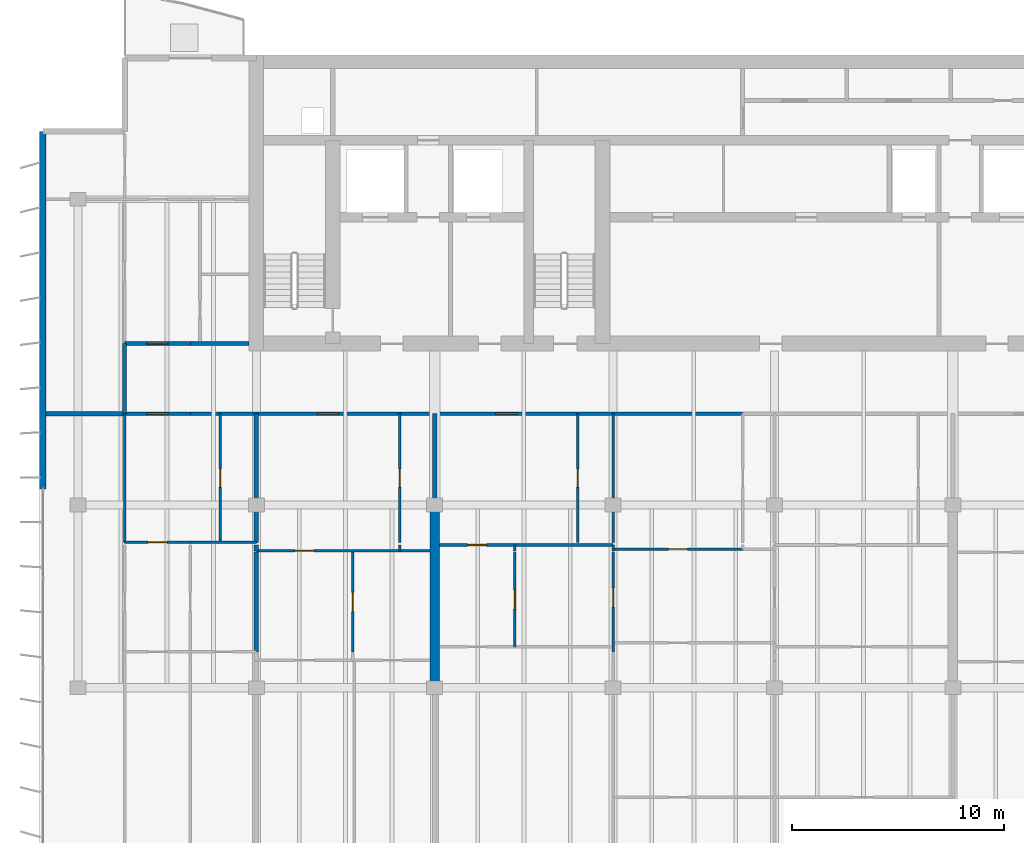
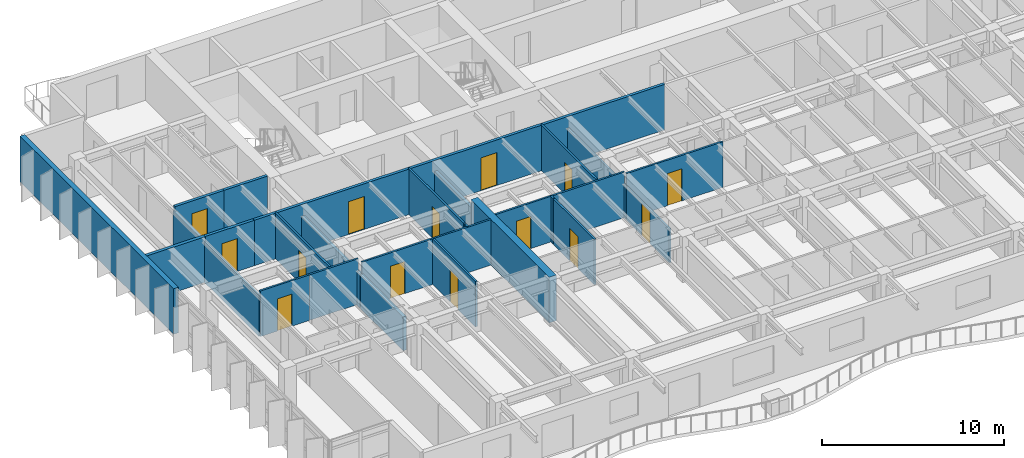
# One storey, part 7 of 17: 28 walls, 14 doors, 14 openings.
"""IFC4 building model written with IfcOpenShell, lengths in metres."""

from ifc_helpers import new_model, si_unit, direction, frame, frame_2d, origin, place, context, subcontext, project, spatial, rectangle, extrude, material, layer, layer_set, type_object, element, fill, save


model = new_model("IFC4")

# Units and contexts
model_context = context("Model", 3, precision=1e-05, world=origin(), true_north=direction((0.0, 1.0)))
body_context = subcontext(model_context, "Body", "Model", "MODEL_VIEW")
ifc_project = project(units=[si_unit("LENGTHUNIT", "METRE"), si_unit("AREAUNIT", "SQUARE_METRE"), si_unit("VOLUMEUNIT", "CUBIC_METRE"), si_unit("PLANEANGLEUNIT", "RADIAN"), si_unit("MASSUNIT", "GRAM", prefix="KILO")], contexts=[model_context])

# Site, building, storey
site_placement = place(None, origin())
site = spatial("IfcSite", under=ifc_project, at=site_placement, CompositionType="ELEMENT")
building_placement = place(site_placement, origin())
building = spatial("IfcBuilding", under=site, at=building_placement, Name="Caelmar Bay Residences", CompositionType="ELEMENT")
storey_placement = place(building_placement, frame((0.0, 0.0, 246.300048828125)))
storey = spatial("IfcBuildingStorey", under=building, at=storey_placement, Name="L69", CompositionType="ELEMENT", Elevation=246.300048828125)

# Walls
ifc_material_1 = material(Name="Concrete f'c 55 MPa (8,000 psi)", Category="concrete")
ifc_layer_1 = layer(ifc_material_1, 0.449951171875)
ifc_layer_set_1 = layer_set([ifc_layer_1], Name="Concrete f'c 55 MPa (8,000 psi)")
wall_type_1 = type_object("IfcWallType", Name="SW-XSLB-450", PredefinedType="SHEAR", material=ifc_layer_set_1)
wall_1_placement = place(storey_placement, frame((26.699951171875, 20.800048828125, 0.0), z_axis=(0.0, 0.0, 1.0), x_axis=(0.0, 1.0, 0.0)))
element("IfcWall", 1, at=wall_1_placement, inside=storey, type_object=wall_type_1, Name="L69 Transverse Cross-Slab Shear Wall W5", PredefinedType="SHEAR", context=body_context, shape_type="SweptSolid", body=[
    extrude(rectangle(XDim=8.599853515625, YDim=0.449951171875, at=frame_2d((4.2998046875, 0.0))), origin(), (0.0, 0.0, 1.0), 3.050048828125),
])
ifc_material_2 = material(Name="Double-stud acoustic fire-rated gypsum partition 180 mm")
ifc_layer_2 = layer(ifc_material_2, 0.179931640625)
ifc_layer_set_2 = layer_set([ifc_layer_2], Name="Double-stud acoustic fire-rated gypsum partition 180 mm")
wall_type_2 = type_object("IfcWallType", Name="W-COR-200", PredefinedType="PARTITIONING", material=ifc_layer_set_2)
wall_2_placement = place(storey_placement, frame((12.10009765625, 33.705078125, 0.0), z_axis=(0.0, 0.0, 1.0), x_axis=(0.0, 1.0, 0.0)))
element("IfcWall", 2, at=wall_2_placement, inside=storey, type_object=wall_type_2, Name="L69 Partition Wall V006", PredefinedType="PARTITIONING", context=body_context, shape_type="SweptSolid", body=[
    extrude(rectangle(XDim=3.294921875, YDim=0.179931640625, at=frame_2d((1.6474609375, 0.0))), origin(), (0.0, 0.0, 1.0), 2.724853515625),
])

# Wall, opening, door
wall_3_placement = place(storey_placement, frame((12.10498046875, 33.699951171875, 0.0), z_axis=(0.0, 0.0, 1.0), x_axis=(1.0, 0.0, 0.0)))
wall_3 = element("IfcWall", 3, at=wall_3_placement, inside=storey, type_object=wall_type_2, Name="L69 Partition Wall H110", PredefinedType="PARTITIONING", context=body_context, shape_type="SweptSolid", body=[
    extrude(rectangle(XDim=3.093017578125, YDim=0.179931640625, at=frame_2d((1.54638671875, 0.0))), origin(), (0.0, 0.0, 1.0), 3.050048828125),
])
opening_1_placement = place(wall_3_placement, frame((1.04638671875, 0.0, 0.0)))
opening_1 = element("IfcOpeningElement", 4, at=opening_1_placement, cuts=wall_3, Name="Opening D-L69-122", PredefinedType="OPENING", context=body_context, shape_type="SweptSolid", body=[
    extrude(rectangle(XDim=1.0, YDim=2.199951171875, at=frame_2d((0.5, 1.10009765625))), frame((0.0, 0.099853515625, 0.0), z_axis=(0.0, -1.0, 0.0), x_axis=(1.0, 0.0, 0.0)), (0.0, 0.0, 1.0), 0.199951171875),
])
ifc_material_3 = material(Name="Fire-rated steel and walnut architectural door assembly", Category="steel")
ifc_layer_3 = layer(ifc_material_3, 0.050048828125)
ifc_layer_set_3 = layer_set([ifc_layer_3], Name="Fire-rated steel and walnut architectural door assembly")
door_type_1 = type_object("IfcDoorType", Name="D-UNIT-1000", OperationType="NOTDEFINED", PredefinedType="DOOR", material=ifc_layer_set_3)
door_1_placement = place(opening_1_placement, origin())
door_1 = element("IfcDoor", 5, at=door_1_placement, inside=storey, type_object=door_type_1, Name="L69 Residence 01 Apartment Hall Door", OperationType="SINGLE_SWING_LEFT", OverallHeight=2.199951171875, OverallWidth=1.0, PredefinedType="DOOR", context=body_context, shape_type="SweptSolid", body=[
    extrude(rectangle(XDim=1.0, YDim=2.199951171875, at=frame_2d((0.5, 1.10009765625))), frame((0.0, 0.02490234375, 0.0), z_axis=(0.0, -1.0, 0.0), x_axis=(1.0, 0.0, 0.0)), (0.0, 0.0, 1.0), 0.050048828125),
])
fill(opening_1, door_1)

# Wall, openings, doors
wall_4_placement = place(storey_placement, frame((15.202880859375, 33.699951171875, 0.0), z_axis=(0.0, 0.0, 1.0), x_axis=(1.0, 0.0, 0.0)))
wall_4 = element("IfcWall", 6, at=wall_4_placement, inside=storey, type_object=wall_type_2, Name="L69 Partition Wall H111", PredefinedType="PARTITIONING", context=body_context, shape_type="SweptSolid", body=[
    extrude(rectangle(XDim=25.9921875, YDim=0.179931640625, at=frame_2d((12.99609375, 0.0))), origin(), (0.0, 0.0, 1.0), 3.050048828125),
])
opening_2_placement = place(wall_4_placement, frame((5.971923828125, 0.0, 0.0)))
opening_2 = element("IfcOpeningElement", 7, at=opening_2_placement, cuts=wall_4, Name="Opening D-L69-128", PredefinedType="OPENING", context=body_context, shape_type="SweptSolid", body=[
    extrude(rectangle(XDim=1.0, YDim=2.199951171875, at=frame_2d((0.5, 1.10009765625))), frame((0.0, 0.099853515625, 0.0), z_axis=(0.0, -1.0, 0.0), x_axis=(1.0, 0.0, 0.0)), (0.0, 0.0, 1.0), 0.199951171875),
])
opening_3_placement = place(wall_4_placement, frame((14.363525390625, 0.0, 0.0)))
opening_3 = element("IfcOpeningElement", 8, at=opening_3_placement, cuts=wall_4, Name="Opening D-L69-134", PredefinedType="OPENING", context=body_context, shape_type="SweptSolid", body=[
    extrude(rectangle(XDim=1.0, YDim=2.199951171875, at=frame_2d((0.5, 1.10009765625))), frame((0.0, 0.099853515625, 0.0), z_axis=(0.0, -1.0, 0.0), x_axis=(1.0, 0.0, 0.0)), (0.0, 0.0, 1.0), 0.199951171875),
])
door_2_placement = place(opening_2_placement, origin())
door_2 = element("IfcDoor", 9, at=door_2_placement, inside=storey, type_object=door_type_1, Name="L69 Residence 02 Apartment Hall Door", OperationType="SINGLE_SWING_LEFT", OverallHeight=2.199951171875, OverallWidth=1.0, PredefinedType="DOOR", context=body_context, shape_type="SweptSolid", body=[
    extrude(rectangle(XDim=1.0, YDim=2.199951171875, at=frame_2d((0.5, 1.10009765625))), frame((0.0, 0.02490234375, 0.0), z_axis=(0.0, -1.0, 0.0), x_axis=(1.0, 0.0, 0.0)), (0.0, 0.0, 1.0), 0.050048828125),
])
fill(opening_2, door_2)
door_3_placement = place(opening_3_placement, origin())
door_3 = element("IfcDoor", 10, at=door_3_placement, inside=storey, type_object=door_type_1, Name="L69 Residence 03 Apartment Hall Door", OperationType="SINGLE_SWING_LEFT", OverallHeight=2.199951171875, OverallWidth=1.0, PredefinedType="DOOR", context=body_context, shape_type="SweptSolid", body=[
    extrude(rectangle(XDim=1.0, YDim=2.199951171875, at=frame_2d((0.5, 1.10009765625))), frame((0.0, 0.02490234375, 0.0), z_axis=(0.0, -1.0, 0.0), x_axis=(1.0, 0.0, 0.0)), (0.0, 0.0, 1.0), 0.050048828125),
])
fill(opening_3, door_3)

# Wall, opening, door
wall_5_placement = place(storey_placement, frame((12.10009765625, 37.0, 0.0), z_axis=(0.0, 0.0, 1.0), x_axis=(1.0, 0.0, 0.0)))
wall_5 = element("IfcWall", 11, at=wall_5_placement, inside=storey, type_object=wall_type_2, Name="L69 Partition Wall H114", PredefinedType="PARTITIONING", context=body_context, shape_type="SweptSolid", body=[
    extrude(rectangle(XDim=3.097900390625, YDim=0.179931640625, at=frame_2d((1.548828125, 0.0))), origin(), (0.0, 0.0, 1.0), 3.050048828125),
])
opening_4_placement = place(wall_5_placement, frame((1.049072265625, 0.0, 0.0)))
opening_4 = element("IfcOpeningElement", 12, at=opening_4_placement, cuts=wall_5, Name="Opening D-L69-162", PredefinedType="OPENING", context=body_context, shape_type="SweptSolid", body=[
    extrude(rectangle(XDim=1.0, YDim=2.199951171875, at=frame_2d((0.5, 1.10009765625))), frame((0.0, 0.099853515625, 0.0), z_axis=(0.0, -1.0, 0.0), x_axis=(1.0, 0.0, 0.0)), (0.0, 0.0, 1.0), 0.199951171875),
])
door_4_placement = place(opening_4_placement, origin())
door_4 = element("IfcDoor", 13, at=door_4_placement, inside=storey, type_object=door_type_1, Name="L69 Residence WA Kitchen Door", OperationType="SINGLE_SWING_LEFT", OverallHeight=2.199951171875, OverallWidth=1.0, PredefinedType="DOOR", context=body_context, shape_type="SweptSolid", body=[
    extrude(rectangle(XDim=1.0, YDim=2.199951171875, at=frame_2d((0.5, 1.10009765625))), frame((0.0, 0.02490234375, 0.0), z_axis=(0.0, -1.0, 0.0), x_axis=(1.0, 0.0, 0.0)), (0.0, 0.0, 1.0), 0.050048828125),
])
fill(opening_4, door_4)

# Walls
wall_6_placement = place(storey_placement, frame((15.202880859375, 37.0, 0.0), z_axis=(0.0, 0.0, 1.0), x_axis=(1.0, 0.0, 0.0)))
element("IfcWall", 14, at=wall_6_placement, inside=storey, type_object=wall_type_2, Name="L69 Partition Wall H115", PredefinedType="PARTITIONING", context=body_context, shape_type="SweptSolid", body=[
    extrude(rectangle(XDim=2.7421875, YDim=0.179931640625, at=frame_2d((1.37109375, 0.0))), origin(), (0.0, 0.0, 1.0), 3.050048828125),
])
ifc_material_4 = material(Name="Precast concrete f'c 40 MPa (6,000 psi)", Category="concrete")
ifc_layer_4 = layer(ifc_material_4, 0.300048828125)
ifc_layer_set_4 = layer_set([ifc_layer_4], Name="Precast concrete f'c 40 MPa (6,000 psi)")
wall_type_3 = type_object("IfcWallType", Name="W-EXT-300", PredefinedType="STANDARD", material=ifc_layer_set_4)
wall_7_placement = place(storey_placement, frame((8.25, 30.14990234375, 0.0), z_axis=(0.0, 0.0, 1.0), x_axis=(0.0, 1.0, 0.0)))
element("IfcWall", 15, at=wall_7_placement, inside=storey, type_object=wall_type_3, Name="L69 West Rear Exterior Wall", PredefinedType="STANDARD", context=body_context, shape_type="SweptSolid", body=[
    extrude(rectangle(XDim=16.85009765625, YDim=0.300048828125, at=frame_2d((8.425048828125, 0.0))), origin(), (0.0, 0.0, 1.0), 3.050048828125),
])
ifc_material_5 = material(Name="Acoustic metal-stud gypsum partition 120 mm")
ifc_layer_5 = layer(ifc_material_5, 0.1201171875)
ifc_layer_set_5 = layer_set([ifc_layer_5], Name="Acoustic metal-stud gypsum partition 120 mm")
wall_type_4 = type_object("IfcWallType", Name="W-PRT-120", PredefinedType="PARTITIONING", material=ifc_layer_set_5)
wall_8_placement = place(storey_placement, frame((12.10009765625, 27.639892578125, 0.0), z_axis=(0.0, 0.0, 1.0), x_axis=(0.0, 1.0, 0.0)))
element("IfcWall", 16, at=wall_8_placement, inside=storey, type_object=wall_type_4, Name="L69 Partition Wall V005", PredefinedType="PARTITIONING", context=body_context, shape_type="SweptSolid", body=[
    extrude(rectangle(XDim=6.06005859375, YDim=0.1201171875, at=frame_2d((3.030029296875, 0.0))), origin(), (0.0, 0.0, 1.0), 2.724853515625),
])

# Wall, opening, door
wall_9_placement = place(storey_placement, frame((16.60009765625, 27.639892578125, 0.0), z_axis=(0.0, 0.0, 1.0), x_axis=(0.0, 1.0, 0.0)))
wall_9 = element("IfcWall", 17, at=wall_9_placement, inside=storey, type_object=wall_type_4, Name="L69 Partition Wall V014", PredefinedType="PARTITIONING", context=body_context, shape_type="SweptSolid", body=[
    extrude(rectangle(XDim=6.06005859375, YDim=0.1201171875, at=frame_2d((3.030029296875, 0.0))), origin(), (0.0, 0.0, 1.0), 3.050048828125),
])
opening_5_placement = place(wall_9_placement, frame((2.60498046875, 0.0, 0.0)))
opening_5 = element("IfcOpeningElement", 18, at=opening_5_placement, cuts=wall_9, Name="Opening D-L69-123", PredefinedType="OPENING", context=body_context, shape_type="SweptSolid", body=[
    extrude(rectangle(XDim=0.85009765625, YDim=2.10009765625, at=frame_2d((0.425048828125, 1.050048828125))), frame((0.0, 0.070068359375, 0.0), z_axis=(0.0, -1.0, 0.0), x_axis=(1.0, 0.0, 0.0)), (0.0, 0.0, 1.0), 0.14013671875),
])
ifc_material_6 = material(Name="Solid walnut timber interior door leaf and frame", Category="wood")
ifc_layer_6 = layer(ifc_material_6, 0.050048828125)
ifc_layer_set_6 = layer_set([ifc_layer_6], Name="Solid walnut timber interior door leaf and frame")
door_type_2 = type_object("IfcDoorType", Name="D-BATH-850", OperationType="NOTDEFINED", PredefinedType="DOOR", material=ifc_layer_set_6)
door_5_placement = place(opening_5_placement, origin())
door_5 = element("IfcDoor", 19, at=door_5_placement, inside=storey, type_object=door_type_2, Name="L69 Residence 01 Bathroom Door", OperationType="SINGLE_SWING_RIGHT", OverallHeight=2.10009765625, OverallWidth=0.85009765625, PredefinedType="DOOR", context=body_context, shape_type="SweptSolid", body=[
    extrude(rectangle(XDim=0.85009765625, YDim=2.10009765625, at=frame_2d((0.425048828125, 1.050048828125))), frame((0.0, 0.02490234375, 0.0), z_axis=(0.0, -1.0, 0.0), x_axis=(1.0, 0.0, 0.0)), (0.0, 0.0, 1.0), 0.050048828125),
])
fill(opening_5, door_5)

wall_10_placement = place(storey_placement, frame((22.8359375, 22.489990234375, 0.0), z_axis=(0.0, 0.0, 1.0), x_axis=(0.0, 1.0, 0.0)))
wall_10 = element("IfcWall", 20, at=wall_10_placement, inside=storey, type_object=wall_type_4, Name="L69 Partition Wall V023", PredefinedType="PARTITIONING", context=body_context, shape_type="SweptSolid", body=[
    extrude(rectangle(XDim=4.68994140625, YDim=0.1201171875, at=frame_2d((2.344970703125, 0.0))), origin(), (0.0, 0.0, 1.0), 3.050048828125),
])
opening_6_placement = place(wall_10_placement, frame((1.89501953125, 0.0, 0.0)))
opening_6 = element("IfcOpeningElement", 21, at=opening_6_placement, cuts=wall_10, Name="Opening D-L69-131", PredefinedType="OPENING", context=body_context, shape_type="SweptSolid", body=[
    extrude(rectangle(XDim=0.89990234375, YDim=2.14990234375, at=frame_2d((0.449951171875, 1.074951171875))), frame((0.0, 0.070068359375, 0.0), z_axis=(0.0, -1.0, 0.0), x_axis=(1.0, 0.0, 0.0)), (0.0, 0.0, 1.0), 0.14013671875),
])
ifc_layer_7 = layer(ifc_material_6, 0.050048828125)
ifc_layer_set_7 = layer_set([ifc_layer_7], Name="Solid walnut timber interior door leaf and frame")
door_type_3 = type_object("IfcDoorType", Name="D-ROOM-900", OperationType="NOTDEFINED", PredefinedType="DOOR", material=ifc_layer_set_7)
door_6_placement = place(opening_6_placement, origin())
door_6 = element("IfcDoor", 22, at=door_6_placement, inside=storey, type_object=door_type_3, Name="L69 Residence 02 Formal Dining Room Door", OperationType="SINGLE_SWING_RIGHT", OverallHeight=2.14990234375, OverallWidth=0.89990234375, PredefinedType="DOOR", context=body_context, shape_type="SweptSolid", body=[
    extrude(rectangle(XDim=0.89990234375, YDim=2.14990234375, at=frame_2d((0.449951171875, 1.074951171875))), frame((0.0, 0.02490234375, 0.0), z_axis=(0.0, -1.0, 0.0), x_axis=(1.0, 0.0, 0.0)), (0.0, 0.0, 1.0), 0.050048828125),
])
fill(opening_6, door_6)

# Wall
wall_11_placement = place(storey_placement, frame((25.050048828125, 27.239990234375, 0.0), z_axis=(0.0, 0.0, 1.0), x_axis=(0.0, 1.0, 0.0)))
element("IfcWall", 23, at=wall_11_placement, inside=storey, type_object=wall_type_4, Name="L69 Partition Wall V026", PredefinedType="PARTITIONING", context=body_context, shape_type="SweptSolid", body=[
    extrude(rectangle(XDim=0.280029296875, YDim=0.1201171875, at=frame_2d((0.14013671875, 0.0))), origin(), (0.0, 0.0, 1.0), 3.050048828125),
])

# Wall, opening, door
wall_12_placement = place(storey_placement, frame((25.050048828125, 27.639892578125, 0.0), z_axis=(0.0, 0.0, 1.0), x_axis=(0.0, 1.0, 0.0)))
wall_12 = element("IfcWall", 24, at=wall_12_placement, inside=storey, type_object=wall_type_4, Name="L69 Partition Wall V027", PredefinedType="PARTITIONING", context=body_context, shape_type="SweptSolid", body=[
    extrude(rectangle(XDim=6.06005859375, YDim=0.1201171875, at=frame_2d((3.030029296875, 0.0))), origin(), (0.0, 0.0, 1.0), 3.050048828125),
])
opening_7_placement = place(wall_12_placement, frame((2.60498046875, 0.0, 0.0)))
opening_7 = element("IfcOpeningElement", 25, at=opening_7_placement, cuts=wall_12, Name="Opening D-L69-129", PredefinedType="OPENING", context=body_context, shape_type="SweptSolid", body=[
    extrude(rectangle(XDim=0.85009765625, YDim=2.10009765625, at=frame_2d((0.425048828125, 1.050048828125))), frame((0.0, 0.070068359375, 0.0), z_axis=(0.0, -1.0, 0.0), x_axis=(1.0, 0.0, 0.0)), (0.0, 0.0, 1.0), 0.14013671875),
])
door_7_placement = place(opening_7_placement, origin())
door_7 = element("IfcDoor", 26, at=door_7_placement, inside=storey, type_object=door_type_2, Name="L69 Residence 02 Bathroom Door", OperationType="SINGLE_SWING_RIGHT", OverallHeight=2.10009765625, OverallWidth=0.85009765625, PredefinedType="DOOR", context=body_context, shape_type="SweptSolid", body=[
    extrude(rectangle(XDim=0.85009765625, YDim=2.10009765625, at=frame_2d((0.425048828125, 1.050048828125))), frame((0.0, 0.02490234375, 0.0), z_axis=(0.0, -1.0, 0.0), x_axis=(1.0, 0.0, 0.0)), (0.0, 0.0, 1.0), 0.050048828125),
])
fill(opening_7, door_7)

wall_13_placement = place(storey_placement, frame((30.47998046875, 22.719970703125, 0.0), z_axis=(0.0, 0.0, 1.0), x_axis=(0.0, 1.0, 0.0)))
wall_13 = element("IfcWall", 27, at=wall_13_placement, inside=storey, type_object=wall_type_4, Name="L69 Partition Wall V034", PredefinedType="PARTITIONING", context=body_context, shape_type="SweptSolid", body=[
    extrude(rectangle(XDim=4.4599609375, YDim=0.1201171875, at=frame_2d((2.22998046875, 0.0))), origin(), (0.0, 0.0, 1.0), 3.050048828125),
])
opening_8_placement = place(wall_13_placement, frame((1.780029296875, 0.0, 0.0)))
opening_8 = element("IfcOpeningElement", 28, at=opening_8_placement, cuts=wall_13, Name="Opening D-L69-137", PredefinedType="OPENING", context=body_context, shape_type="SweptSolid", body=[
    extrude(rectangle(XDim=0.89990234375, YDim=2.14990234375, at=frame_2d((0.449951171875, 1.074951171875))), frame((0.0, 0.070068359375, 0.0), z_axis=(0.0, -1.0, 0.0), x_axis=(1.0, 0.0, 0.0)), (0.0, 0.0, 1.0), 0.14013671875),
])
door_8_placement = place(opening_8_placement, origin())
door_8 = element("IfcDoor", 29, at=door_8_placement, inside=storey, type_object=door_type_3, Name="L69 Residence 03 Kitchen Door", OperationType="SINGLE_SWING_RIGHT", OverallHeight=2.14990234375, OverallWidth=0.89990234375, PredefinedType="DOOR", context=body_context, shape_type="SweptSolid", body=[
    extrude(rectangle(XDim=0.89990234375, YDim=2.14990234375, at=frame_2d((0.449951171875, 1.074951171875))), frame((0.0, 0.02490234375, 0.0), z_axis=(0.0, -1.0, 0.0), x_axis=(1.0, 0.0, 0.0)), (0.0, 0.0, 1.0), 0.050048828125),
])
fill(opening_8, door_8)

# Wall
wall_14_placement = place(storey_placement, frame((30.47998046875, 27.239990234375, 0.0), z_axis=(0.0, 0.0, 1.0), x_axis=(0.0, 1.0, 0.0)))
element("IfcWall", 30, at=wall_14_placement, inside=storey, type_object=wall_type_4, Name="L69 Partition Wall V035", PredefinedType="PARTITIONING", context=body_context, shape_type="SweptSolid", body=[
    extrude(rectangle(XDim=0.280029296875, YDim=0.1201171875, at=frame_2d((0.14013671875, 0.0))), origin(), (0.0, 0.0, 1.0), 3.050048828125),
])

# Wall, opening, door
wall_15_placement = place(storey_placement, frame((33.43310546875, 27.639892578125, 0.0), z_axis=(0.0, 0.0, 1.0), x_axis=(0.0, 1.0, 0.0)))
wall_15 = element("IfcWall", 31, at=wall_15_placement, inside=storey, type_object=wall_type_4, Name="L69 Partition Wall V037", PredefinedType="PARTITIONING", context=body_context, shape_type="SweptSolid", body=[
    extrude(rectangle(XDim=6.06005859375, YDim=0.1201171875, at=frame_2d((3.030029296875, 0.0))), origin(), (0.0, 0.0, 1.0), 3.050048828125),
])
opening_9_placement = place(wall_15_placement, frame((2.60498046875, 0.0, 0.0)))
opening_9 = element("IfcOpeningElement", 32, at=opening_9_placement, cuts=wall_15, Name="Opening D-L69-135", PredefinedType="OPENING", context=body_context, shape_type="SweptSolid", body=[
    extrude(rectangle(XDim=0.85009765625, YDim=2.10009765625, at=frame_2d((0.425048828125, 1.050048828125))), frame((0.0, 0.070068359375, 0.0), z_axis=(0.0, -1.0, 0.0), x_axis=(1.0, 0.0, 0.0)), (0.0, 0.0, 1.0), 0.14013671875),
])
door_9_placement = place(opening_9_placement, origin())
door_9 = element("IfcDoor", 33, at=door_9_placement, inside=storey, type_object=door_type_2, Name="L69 Residence 03 Guest Bathroom Door", OperationType="SINGLE_SWING_RIGHT", OverallHeight=2.10009765625, OverallWidth=0.85009765625, PredefinedType="DOOR", context=body_context, shape_type="SweptSolid", body=[
    extrude(rectangle(XDim=0.85009765625, YDim=2.10009765625, at=frame_2d((0.425048828125, 1.050048828125))), frame((0.0, 0.02490234375, 0.0), z_axis=(0.0, -1.0, 0.0), x_axis=(1.0, 0.0, 0.0)), (0.0, 0.0, 1.0), 0.050048828125),
])
fill(opening_9, door_9)

wall_16_placement = place(storey_placement, frame((35.10009765625, 22.489990234375, 0.0), z_axis=(0.0, 0.0, 1.0), x_axis=(0.0, 1.0, 0.0)))
wall_16 = element("IfcWall", 34, at=wall_16_placement, inside=storey, type_object=wall_type_4, Name="L69 Partition Wall V041", PredefinedType="PARTITIONING", context=body_context, shape_type="SweptSolid", body=[
    extrude(rectangle(XDim=4.68994140625, YDim=0.1201171875, at=frame_2d((2.344970703125, 0.0))), origin(), (0.0, 0.0, 1.0), 2.262939453125),
])
opening_10_placement = place(wall_16_placement, frame((2.110107421875, 0.0, 0.0)))
opening_10 = element("IfcOpeningElement", 35, at=opening_10_placement, cuts=wall_16, Name="Opening D-L69-139", PredefinedType="OPENING", context=body_context, shape_type="SweptSolid", body=[
    extrude(rectangle(XDim=0.89990234375, YDim=2.14990234375, at=frame_2d((0.449951171875, 1.074951171875))), frame((0.0, 0.070068359375, 0.0), z_axis=(0.0, -1.0, 0.0), x_axis=(1.0, 0.0, 0.0)), (0.0, 0.0, 1.0), 0.14013671875),
])
door_10_placement = place(opening_10_placement, origin())
door_10 = element("IfcDoor", 36, at=door_10_placement, inside=storey, type_object=door_type_3, Name="L69 Residence 03 Formal Dining Room 1 Door", OperationType="SINGLE_SWING_RIGHT", OverallHeight=2.14990234375, OverallWidth=0.89990234375, PredefinedType="DOOR", context=body_context, shape_type="SweptSolid", body=[
    extrude(rectangle(XDim=0.89990234375, YDim=2.14990234375, at=frame_2d((0.449951171875, 1.074951171875))), frame((0.0, 0.02490234375, 0.0), z_axis=(0.0, -1.0, 0.0), x_axis=(1.0, 0.0, 0.0)), (0.0, 0.0, 1.0), 0.050048828125),
])
fill(opening_10, door_10)

# Walls
wall_17_placement = place(storey_placement, frame((35.10009765625, 27.239990234375, 0.0), z_axis=(0.0, 0.0, 1.0), x_axis=(0.0, 1.0, 0.0)))
element("IfcWall", 37, at=wall_17_placement, inside=storey, type_object=wall_type_4, Name="L69 Partition Wall V042", PredefinedType="PARTITIONING", context=body_context, shape_type="SweptSolid", body=[
    extrude(rectangle(XDim=0.280029296875, YDim=0.1201171875, at=frame_2d((0.14013671875, 0.0))), origin(), (0.0, 0.0, 1.0), 2.262939453125),
])
wall_18_placement = place(storey_placement, frame((35.10009765625, 27.639892578125, 0.0), z_axis=(0.0, 0.0, 1.0), x_axis=(0.0, 1.0, 0.0)))
element("IfcWall", 38, at=wall_18_placement, inside=storey, type_object=wall_type_4, Name="L69 Partition Wall V043", PredefinedType="PARTITIONING", context=body_context, shape_type="SweptSolid", body=[
    extrude(rectangle(XDim=6.06005859375, YDim=0.1201171875, at=frame_2d((3.030029296875, 0.0))), origin(), (0.0, 0.0, 1.0), 2.262939453125),
])

# Wall, opening, door
wall_19_placement = place(storey_placement, frame((18.300048828125, 27.239990234375, 0.0), z_axis=(0.0, 0.0, 1.0), x_axis=(1.0, 0.0, 0.0)))
wall_19 = element("IfcWall", 39, at=wall_19_placement, inside=storey, type_object=wall_type_4, Name="L69 Partition Wall H101", PredefinedType="PARTITIONING", context=body_context, shape_type="SweptSolid", body=[
    extrude(rectangle(XDim=8.179931640625, YDim=0.1201171875, at=frame_2d((4.08984375, 0.0))), origin(), (0.0, 0.0, 1.0), 3.050048828125),
])
opening_11_placement = place(wall_19_placement, frame((1.818115234375, 0.0, 0.0)))
opening_11 = element("IfcOpeningElement", 40, at=opening_11_placement, cuts=wall_19, Name="Opening D-L69-130", PredefinedType="OPENING", context=body_context, shape_type="SweptSolid", body=[
    extrude(rectangle(XDim=0.89990234375, YDim=2.14990234375, at=frame_2d((0.449951171875, 1.074951171875))), frame((0.0, 0.070068359375, 0.0), z_axis=(0.0, -1.0, 0.0), x_axis=(1.0, 0.0, 0.0)), (0.0, 0.0, 1.0), 0.14013671875),
])
door_11_placement = place(opening_11_placement, origin())
door_11 = element("IfcDoor", 41, at=door_11_placement, inside=storey, type_object=door_type_3, Name="L69 Residence 02 Kitchen Door", OperationType="SINGLE_SWING_LEFT", OverallHeight=2.14990234375, OverallWidth=0.89990234375, PredefinedType="DOOR", context=body_context, shape_type="SweptSolid", body=[
    extrude(rectangle(XDim=0.89990234375, YDim=2.14990234375, at=frame_2d((0.449951171875, 1.074951171875))), frame((0.0, 0.02490234375, 0.0), z_axis=(0.0, -1.0, 0.0), x_axis=(1.0, 0.0, 0.0)), (0.0, 0.0, 1.0), 0.050048828125),
])
fill(opening_11, door_11)

wall_20_placement = place(storey_placement, frame((35.10009765625, 27.320068359375, 0.0), z_axis=(0.0, 0.0, 1.0), x_axis=(1.0, 0.0, 0.0)))
wall_20 = element("IfcWall", 42, at=wall_20_placement, inside=storey, type_object=wall_type_4, Name="L69 Partition Wall H102", PredefinedType="PARTITIONING", context=body_context, shape_type="SweptSolid", body=[
    extrude(rectangle(XDim=6.094970703125, YDim=0.1201171875, at=frame_2d((3.04736328125, 0.0))), origin(), (0.0, 0.0, 1.0), 3.050048828125),
])
opening_12_placement = place(wall_20_placement, frame((2.597412109375, 0.0, 0.0)))
opening_12 = element("IfcOpeningElement", 43, at=opening_12_placement, cuts=wall_20, Name="Opening D-L69-140", PredefinedType="OPENING", context=body_context, shape_type="SweptSolid", body=[
    extrude(rectangle(XDim=0.89990234375, YDim=2.14990234375, at=frame_2d((0.449951171875, 1.074951171875))), frame((0.0, 0.070068359375, 0.0), z_axis=(0.0, -1.0, 0.0), x_axis=(1.0, 0.0, 0.0)), (0.0, 0.0, 1.0), 0.14013671875),
])
door_12_placement = place(opening_12_placement, origin())
door_12 = element("IfcDoor", 44, at=door_12_placement, inside=storey, type_object=door_type_3, Name="L69 Residence 03 Breakfast Dining Room 1 Door", OperationType="SINGLE_SWING_LEFT", OverallHeight=2.14990234375, OverallWidth=0.89990234375, PredefinedType="DOOR", context=body_context, shape_type="SweptSolid", body=[
    extrude(rectangle(XDim=0.89990234375, YDim=2.14990234375, at=frame_2d((0.449951171875, 1.074951171875))), frame((0.0, 0.02490234375, 0.0), z_axis=(0.0, -1.0, 0.0), x_axis=(1.0, 0.0, 0.0)), (0.0, 0.0, 1.0), 0.050048828125),
])
fill(opening_12, door_12)

wall_21_placement = place(storey_placement, frame((26.919921875, 27.52001953125, 0.0), z_axis=(0.0, 0.0, 1.0), x_axis=(1.0, 0.0, 0.0)))
wall_21 = element("IfcWall", 45, at=wall_21_placement, inside=storey, type_object=wall_type_4, Name="L69 Partition Wall H104", PredefinedType="PARTITIONING", context=body_context, shape_type="SweptSolid", body=[
    extrude(rectangle(XDim=8.175048828125, YDim=0.1201171875, at=frame_2d((4.08740234375, 0.0))), origin(), (0.0, 0.0, 1.0), 3.050048828125),
])
opening_13_placement = place(wall_21_placement, frame((1.330078125, 0.0, 0.0)))
opening_13 = element("IfcOpeningElement", 46, at=opening_13_placement, cuts=wall_21, Name="Opening D-L69-136", PredefinedType="OPENING", context=body_context, shape_type="SweptSolid", body=[
    extrude(rectangle(XDim=0.89990234375, YDim=2.14990234375, at=frame_2d((0.449951171875, 1.074951171875))), frame((0.0, 0.070068359375, 0.0), z_axis=(0.0, -1.0, 0.0), x_axis=(1.0, 0.0, 0.0)), (0.0, 0.0, 1.0), 0.14013671875),
])
door_13_placement = place(opening_13_placement, origin())
door_13 = element("IfcDoor", 47, at=door_13_placement, inside=storey, type_object=door_type_3, Name="L69 Residence 03 Dining Room Door", OperationType="SINGLE_SWING_LEFT", OverallHeight=2.14990234375, OverallWidth=0.89990234375, PredefinedType="DOOR", context=body_context, shape_type="SweptSolid", body=[
    extrude(rectangle(XDim=0.89990234375, YDim=2.14990234375, at=frame_2d((0.449951171875, 1.074951171875))), frame((0.0, 0.02490234375, 0.0), z_axis=(0.0, -1.0, 0.0), x_axis=(1.0, 0.0, 0.0)), (0.0, 0.0, 1.0), 0.050048828125),
])
fill(opening_13, door_13)

wall_22_placement = place(storey_placement, frame((12.10009765625, 27.639892578125, 0.0), z_axis=(0.0, 0.0, 1.0), x_axis=(1.0, 0.0, 0.0)))
wall_22 = element("IfcWall", 48, at=wall_22_placement, inside=storey, type_object=wall_type_4, Name="L69 Partition Wall H107", PredefinedType="PARTITIONING", context=body_context, shape_type="SweptSolid", body=[
    extrude(rectangle(XDim=3.097900390625, YDim=0.1201171875, at=frame_2d((1.548828125, 0.0))), origin(), (0.0, 0.0, 1.0), 3.050048828125),
])
opening_14_placement = place(wall_22_placement, frame((1.09912109375, 0.0, 0.0)))
opening_14 = element("IfcOpeningElement", 49, at=opening_14_placement, cuts=wall_22, Name="Opening D-L69-124", PredefinedType="OPENING", context=body_context, shape_type="SweptSolid", body=[
    extrude(rectangle(XDim=0.89990234375, YDim=2.14990234375, at=frame_2d((0.449951171875, 1.074951171875))), frame((0.0, 0.070068359375, 0.0), z_axis=(0.0, -1.0, 0.0), x_axis=(1.0, 0.0, 0.0)), (0.0, 0.0, 1.0), 0.14013671875),
])
door_14_placement = place(opening_14_placement, origin())
door_14 = element("IfcDoor", 50, at=door_14_placement, inside=storey, type_object=door_type_3, Name="L69 Residence 01 Kitchen Door", OperationType="SINGLE_SWING_LEFT", OverallHeight=2.14990234375, OverallWidth=0.89990234375, PredefinedType="DOOR", context=body_context, shape_type="SweptSolid", body=[
    extrude(rectangle(XDim=0.89990234375, YDim=2.14990234375, at=frame_2d((0.449951171875, 1.074951171875))), frame((0.0, 0.02490234375, 0.0), z_axis=(0.0, -1.0, 0.0), x_axis=(1.0, 0.0, 0.0)), (0.0, 0.0, 1.0), 0.050048828125),
])
fill(opening_14, door_14)

# Walls
wall_23_placement = place(storey_placement, frame((15.202880859375, 27.639892578125, 0.0), z_axis=(0.0, 0.0, 1.0), x_axis=(1.0, 0.0, 0.0)))
element("IfcWall", 51, at=wall_23_placement, inside=storey, type_object=wall_type_4, Name="L69 Partition Wall H108", PredefinedType="PARTITIONING", context=body_context, shape_type="SweptSolid", body=[
    extrude(rectangle(XDim=3.09716796875, YDim=0.1201171875, at=frame_2d((1.548583984375, 0.0))), origin(), (0.0, 0.0, 1.0), 3.050048828125),
])
ifc_material_7 = material(Name="Acoustic twin-stud fire-rated inter-tenancy partition 200 mm")
ifc_layer_8 = layer(ifc_material_7, 0.199951171875)
ifc_layer_set_8 = layer_set([ifc_layer_8], Name="Acoustic twin-stud fire-rated inter-tenancy partition 200 mm")
wall_type_5 = type_object("IfcWallType", Name="W-PTY-200", PredefinedType="PARTITIONING", material=ifc_layer_set_8)
wall_24_placement = place(storey_placement, frame((18.300048828125, 22.489990234375, 0.0), z_axis=(0.0, 0.0, 1.0), x_axis=(0.0, 1.0, 0.0)))
element("IfcWall", 52, at=wall_24_placement, inside=storey, type_object=wall_type_5, Name="L69 Partition Wall V018", PredefinedType="PARTITIONING", context=body_context, shape_type="SweptSolid", body=[
    extrude(rectangle(XDim=4.68994140625, YDim=0.199951171875, at=frame_2d((2.344970703125, 0.0))), origin(), (0.0, 0.0, 1.0), 2.262939453125),
])
wall_25_placement = place(storey_placement, frame((18.300048828125, 27.239990234375, 0.0), z_axis=(0.0, 0.0, 1.0), x_axis=(0.0, 1.0, 0.0)))
element("IfcWall", 53, at=wall_25_placement, inside=storey, type_object=wall_type_5, Name="L69 Partition Wall V019", PredefinedType="PARTITIONING", context=body_context, shape_type="SweptSolid", body=[
    extrude(rectangle(XDim=0.280029296875, YDim=0.199951171875, at=frame_2d((0.14013671875, 0.0))), origin(), (0.0, 0.0, 1.0), 2.262939453125),
])
wall_26_placement = place(storey_placement, frame((18.300048828125, 27.639892578125, 0.0), z_axis=(0.0, 0.0, 1.0), x_axis=(0.0, 1.0, 0.0)))
element("IfcWall", 54, at=wall_26_placement, inside=storey, type_object=wall_type_5, Name="L69 Partition Wall V020", PredefinedType="PARTITIONING", context=body_context, shape_type="SweptSolid", body=[
    extrude(rectangle(XDim=6.06005859375, YDim=0.199951171875, at=frame_2d((3.030029296875, 0.0))), origin(), (0.0, 0.0, 1.0), 2.262939453125),
])
wall_27_placement = place(storey_placement, frame((26.699951171875, 29.405029296875, 0.0), z_axis=(0.0, 0.0, 1.0), x_axis=(0.0, 1.0, 0.0)))
element("IfcWall", 55, at=wall_27_placement, inside=storey, type_object=wall_type_5, Name="L69 Partition Wall V031", PredefinedType="PARTITIONING", context=body_context, shape_type="SweptSolid", body=[
    extrude(rectangle(XDim=4.294921875, YDim=0.199951171875, at=frame_2d((2.1474609375, 0.0))), origin(), (0.0, 0.0, 1.0), 2.3349609375),
])
wall_28_placement = place(storey_placement, frame((8.39501953125, 33.699951171875, 0.0), z_axis=(0.0, 0.0, 1.0), x_axis=(1.0, 0.0, 0.0)))
element("IfcWall", 56, at=wall_28_placement, inside=storey, type_object=wall_type_5, Name="L69 Partition Wall H109", PredefinedType="PARTITIONING", context=body_context, shape_type="SweptSolid", body=[
    extrude(rectangle(XDim=3.705078125, YDim=0.199951171875, at=frame_2d((1.8525390625, 0.0))), origin(), (0.0, 0.0, 1.0), 3.050048828125),
])

save(model, "model.ifc")
